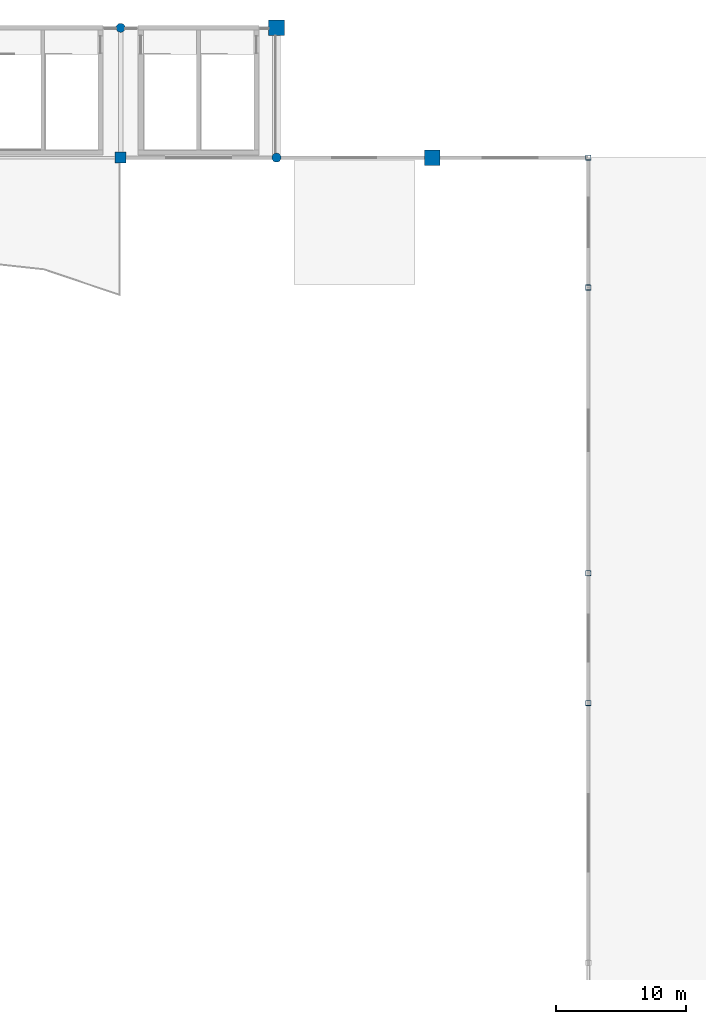
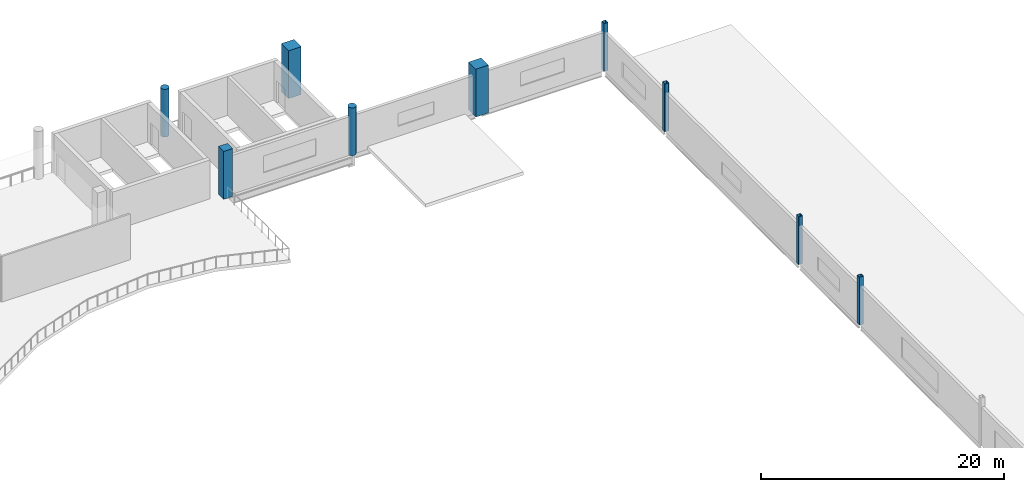
# One storey, part 6 of 49: 9 columns.
"""IFC4 building model written with IfcOpenShell, lengths in metres."""

import ifcopenshell
import ifcopenshell.guid

model = None  # the IFC model being written
_history = None  # IfcOwnerHistory: only IFC2X3 demands one
_inside = {}  # id of a spatial element -> (the spatial element, [elements in it])
_under = {}  # id of a project, library or spatial element -> (it, [spatial elements below it])
_declared = {}  # id of a project -> (the project, [libraries it declares])
_typed = {}  # id of a type object -> (the type object, [elements of that type])
_made_of = {}  # id of a material, layer set ... -> (it, [elements and type objects made of it])


def new_model(schema):
    """Start an empty IFC model of exactly this schema.

    Asked for "IFC4X3", IfcOpenShell would pick the latest addendum, in which some entities
    have other attributes; the version numbers below select the first issue.
    IFC2X3 requires an IfcOwnerHistory on every rooted entity: one is made here for all.
    """
    global model, _history
    if schema == "IFC4X3":
        model = ifcopenshell.file(schema_version=(4, 3, 0, 0))
    else:
        model = ifcopenshell.file(schema=schema)
    _inside.clear()
    _under.clear()
    _declared.clear()
    _typed.clear()
    _made_of.clear()
    _history = None
    if model.schema == "IFC2X3":
        org = make("IfcOrganization", Name="unknown")
        user = make(
            "IfcPersonAndOrganization",
            ThePerson=make("IfcPerson", FamilyName="unknown"),
            TheOrganization=org,
        )
        app = make(
            "IfcApplication",
            ApplicationDeveloper=org,
            Version="unknown",
            ApplicationFullName="unknown",
            ApplicationIdentifier="unknown",
        )
        _history = make(
            "IfcOwnerHistory",
            OwningUser=user,
            OwningApplication=app,
            ChangeAction="ADDED",
            CreationDate=0,
        )
    return model


def make(cls, **values):
    """One entity of the class cls with the attributes given. An attribute that is None is left unset."""
    return model.create_entity(
        cls, **{name: value for name, value in values.items() if value is not None}
    )


def rooted(cls, **values):
    """An entity with a GlobalId (a new one), such as an element, a storey or a relation."""
    return make(cls, GlobalId=ifcopenshell.guid.new(), OwnerHistory=_history, **values)


def si_unit(unit_type, name, prefix=None):
    """IfcSIUnit, for example si_unit("LENGTHUNIT", "METRE", prefix="MILLI")."""
    return make("IfcSIUnit", UnitType=unit_type, Prefix=prefix, Name=name)


def assignment(units):
    """IfcUnitAssignment: the units of a project."""
    return None if units is None else make("IfcUnitAssignment", Units=units)


def point(xyz):
    """IfcCartesianPoint."""
    return None if xyz is None else make("IfcCartesianPoint", Coordinates=xyz)


def direction(xyz):
    """IfcDirection."""
    return None if xyz is None else make("IfcDirection", DirectionRatios=xyz)


def frame(location, z_axis=None, x_axis=None):
    """IfcAxis2Placement3D, a coordinate frame: its origin and axes. An axis left out is left unset."""
    return make(
        "IfcAxis2Placement3D",
        Location=point(location),
        Axis=direction(z_axis),
        RefDirection=direction(x_axis),
    )


def frame_2d(location, x_axis=None):
    """IfcAxis2Placement2D, a coordinate frame in the plane: its origin and x axis."""
    return make(
        "IfcAxis2Placement2D", Location=point(location), RefDirection=direction(x_axis)
    )


def origin():
    """The frame at (0, 0, 0) with its axes left unset."""
    return frame((0.0, 0.0, 0.0))


def origin_2d():
    """The frame at (0, 0) in the plane with its x axis left unset."""
    return frame_2d((0.0, 0.0))


def place(relative_to, where):
    """IfcLocalPlacement: puts the frame where relative to a parent placement (None: the world)."""
    return make(
        "IfcLocalPlacement", PlacementRelTo=relative_to, RelativePlacement=where
    )


def context(
    kind, dimensions, precision=None, world=None, true_north=None, identifier=None
):
    """IfcGeometricRepresentationContext, for example the 3D "Model" context."""
    return make(
        "IfcGeometricRepresentationContext",
        ContextIdentifier=identifier,
        ContextType=kind,
        CoordinateSpaceDimension=dimensions,
        Precision=precision,
        WorldCoordinateSystem=world,
        TrueNorth=true_north,
    )


def subcontext(parent, identifier, kind, view, scale=None):
    """IfcGeometricRepresentationSubContext, for example "Body" below "Model"."""
    return make(
        "IfcGeometricRepresentationSubContext",
        ContextIdentifier=identifier,
        ContextType=kind,
        ParentContext=parent,
        TargetScale=scale,
        TargetView=view,
    )


def project(units=None, contexts=None):
    """IfcProject with its units and contexts."""
    return rooted(
        "IfcProject",
        Name="project",
        RepresentationContexts=contexts,
        UnitsInContext=assignment(units),
    )


def spatial(cls, under=None, at=None, **own):
    """A site, building, storey or space (cls), placed at a placement, below another one or the project."""
    s = rooted(cls, ObjectPlacement=at, **own)
    if under is not None:
        _under.setdefault(under.id(), (under, []))[1].append(s)
    return s


def profile(cls, at=None, kind="AREA", **sizes):
    """A parametric profile (cls). Its sizes go by their IFC names, for example OverallWidth=200.0."""
    return make(cls, ProfileType=kind, Position=at, **sizes)


def rectangle(**sizes):
    """IfcRectangleProfileDef."""
    return profile("IfcRectangleProfileDef", **sizes)


def hollow_rectangle(**sizes):
    """IfcRectangleHollowProfileDef."""
    return profile("IfcRectangleHollowProfileDef", **sizes)


def circle(**sizes):
    """IfcCircleProfileDef."""
    return profile("IfcCircleProfileDef", **sizes)


def extrude(swept, where, along, depth):
    """IfcExtrudedAreaSolid: the profile swept, set in the frame where, extruded along a direction by depth."""
    return make(
        "IfcExtrudedAreaSolid",
        SweptArea=swept,
        Position=where,
        ExtrudedDirection=direction(along),
        Depth=depth,
    )


def shape(context_of_items, identifier, shape_type, items):
    """IfcShapeRepresentation: the items that make up one representation, for example the "Body"."""
    return make(
        "IfcShapeRepresentation",
        ContextOfItems=context_of_items,
        RepresentationIdentifier=identifier,
        RepresentationType=shape_type,
        Items=items,
    )


def material(Name=None, Category=None):
    """IfcMaterial."""
    return make("IfcMaterial", Name=Name, Category=Category)


def material_profile(
    of_material, cross_section, Name=None, Category=None, Priority=None
):
    """IfcMaterialProfile: a cross section and its material."""
    return make(
        "IfcMaterialProfile",
        Name=Name,
        Material=of_material,
        Profile=cross_section,
        Priority=Priority,
        Category=Category,
    )


def profile_set(profiles, Name=None, composite=None):
    """IfcMaterialProfileSet."""
    return make(
        "IfcMaterialProfileSet",
        Name=Name,
        MaterialProfiles=profiles,
        CompositeProfile=composite,
    )


def made_of(thing, what):
    """Note that an element or type object is made of a material, layer set ...; save() writes the relation."""
    if what is not None:
        _made_of.setdefault(what.id(), (what, []))[1].append(thing)
    return thing


def type_object(cls, material=None, **own):
    """A type object (cls), such as IfcWallType, which elements share."""
    return made_of(rooted(cls, **own), material)


def element(
    cls,
    number,
    at=None,
    inside=None,
    cuts=None,
    type_object=None,
    material=None,
    context=None,
    identifier="Body",
    shape_type=None,
    held_by="IfcProductDefinitionShape",
    body=None,
    shapes=None,
    **own,
):
    """One element of the class cls, such as IfcWall. Its Tag is "e" and its number.

    at: its placement. inside: the storey or other place that contains it. cuts: it is an
    opening in that element (IfcRelVoidsElement). A single representation is given by context,
    identifier, shape_type and body (its items); several are given by shapes. held_by: the class
    of the entity that holds the representations. save() writes the other relations.
    """
    e = rooted(cls, Tag="e%d" % number, ObjectPlacement=at, **own)
    if body is not None:
        shapes = [shape(context, identifier, shape_type, body)]
    if shapes is not None:
        e.Representation = make(held_by, Representations=shapes)
    if inside is not None:
        _inside.setdefault(inside.id(), (inside, []))[1].append(e)
    if cuts is not None:
        rooted(
            "IfcRelVoidsElement", RelatingBuildingElement=cuts, RelatedOpeningElement=e
        )
    if type_object is not None:
        _typed.setdefault(type_object.id(), (type_object, []))[1].append(e)
    return made_of(e, material)


def aggregate(whole, parts):
    """IfcRelAggregates: a whole, such as a stair, and the parts it consists of."""
    return rooted("IfcRelAggregates", RelatingObject=whole, RelatedObjects=parts)


def save(model, path):
    """Write the relations noted so far, then the file.

    IfcRelAggregates (storeys below a building ...), IfcRelContainedInSpatialStructure (elements
    in a storey), IfcRelDefinesByType, IfcRelAssociatesMaterial and IfcRelDeclares: one each for
    every whole, place, type object, material and project.
    """
    for whole, parts in _under.values():
        aggregate(whole, parts)
    for where, things in _inside.values():
        rooted(
            "IfcRelContainedInSpatialStructure",
            RelatedElements=things,
            RelatingStructure=where,
        )
    for kind, things in _typed.values():
        rooted("IfcRelDefinesByType", RelatedObjects=things, RelatingType=kind)
    for what, things in _made_of.values():
        rooted("IfcRelAssociatesMaterial", RelatedObjects=things, RelatingMaterial=what)
    for by, libraries in _declared.values():
        rooted("IfcRelDeclares", RelatingContext=by, RelatedDefinitions=libraries)
    model.write(path)


model = new_model("IFC4")

# Units and contexts
model_context = context("Model", 3, precision=1e-05, world=origin(), true_north=direction((0.0, 1.0)))
body_context = subcontext(model_context, "Body", "Model", "MODEL_VIEW")
ifc_project = project(units=[si_unit("LENGTHUNIT", "METRE"), si_unit("AREAUNIT", "SQUARE_METRE"), si_unit("VOLUMEUNIT", "CUBIC_METRE"), si_unit("PLANEANGLEUNIT", "RADIAN"), si_unit("MASSUNIT", "GRAM", prefix="KILO")], contexts=[model_context])

# Site, building, storey
site_placement = place(None, origin())
site = spatial("IfcSite", under=ifc_project, at=site_placement, CompositionType="ELEMENT")
building_placement = place(site_placement, origin())
building = spatial("IfcBuilding", under=site, at=building_placement, Name="Brinegate Civic Arena", CompositionType="ELEMENT")
storey_placement = place(building_placement, frame((0.0, 0.0, 24.60009765625)))
storey = spatial("IfcBuildingStorey", under=building, at=storey_placement, Name="L05", CompositionType="ELEMENT", Elevation=24.60009765625)

# Columns
ifc_material_1 = material(Name="Concrete C50/60", Category="concrete")
ifc_material_profile_1 = material_profile(ifc_material_1, rectangle(XDim=1.199951171875, YDim=1.199951171875, at=origin_2d()), Name="RC1200X1200")
ifc_profile_set_1 = profile_set([ifc_material_profile_1], Name="Concrete C50/60")
column_type_1 = type_object("IfcColumnType", Name="COL-CC01-1200", PredefinedType="COLUMN", material=ifc_profile_set_1)
for number, where, z_axis, x_axis, name in (
    (1, (132.0, 124.0, 0.0), (0.0, 0.0, 1.0), (1.0, 0.0, 0.0), "Column COL-L05-12-N"),
    (2, (144.0, 114.0, 0.0), (0.0, 0.0, 1.0), (1.0, 0.0, 0.0), "Column COL-L05-13-M"),
):
    element("IfcColumn", number, at=place(storey_placement, frame(where, z_axis=z_axis, x_axis=x_axis)), inside=storey, type_object=column_type_1, Name=name, PredefinedType="COLUMN", context=body_context, shape_type="SweptSolid", body=[
        extrude(rectangle(XDim=1.199951171875, YDim=1.199951171875, at=origin_2d()), origin(), (0.0, 0.0, 1.0), 4.7998046875),
    ])
ifc_material_profile_2 = material_profile(ifc_material_1, rectangle(XDim=0.85009765625, YDim=0.85009765625, at=origin_2d()), Name="RC850X850")
ifc_profile_set_2 = profile_set([ifc_material_profile_2], Name="Concrete C50/60")
column_type_2 = type_object("IfcColumnType", Name="COL-CC06-850", PredefinedType="COLUMN", material=ifc_profile_set_2)
column_placement = place(storey_placement, frame((120.0, 114.0, 0.0), z_axis=(0.0, 0.0, 1.0), x_axis=(1.0, 0.0, 0.0)))
element("IfcColumn", 3, at=column_placement, inside=storey, type_object=column_type_2, Name="Column COL-L05-11-M", PredefinedType="COLUMN", context=body_context, shape_type="SweptSolid", body=[
    extrude(rectangle(XDim=0.85009765625, YDim=0.85009765625, at=origin_2d()), origin(), (0.0, 0.0, 1.0), 4.7998046875),
])
ifc_material_profile_3 = material_profile(ifc_material_1, circle(Radius=0.35009765625, at=origin_2d()), Name="RCD700")
ifc_profile_set_3 = profile_set([ifc_material_profile_3], Name="Concrete C50/60")
column_type_3 = type_object("IfcColumnType", Name="COL-CC14-D700", PredefinedType="COLUMN", material=ifc_profile_set_3)
for number, where, z_axis, x_axis, name in (
    (4, (120.0, 124.0, 0.0), (0.0, 0.0, 1.0), (1.0, 0.0, 0.0), "Column COL-L05-11-N"),
    (5, (132.0, 114.0, 0.0), (0.0, 0.0, 1.0), (1.0, 0.0, 0.0), "Column COL-L05-12-M"),
):
    element("IfcColumn", number, at=place(storey_placement, frame(where, z_axis=z_axis, x_axis=x_axis)), inside=storey, type_object=column_type_3, Name=name, PredefinedType="COLUMN", context=body_context, shape_type="SweptSolid", body=[
        extrude(circle(Radius=0.35009765625, at=origin_2d()), origin(), (0.0, 0.0, 1.0), 4.7998046875),
    ])
ifc_material_2 = material(Name="Steel S355", Category="steel")
ifc_material_profile_4 = material_profile(ifc_material_2, hollow_rectangle(XDim=0.39990234375, YDim=0.39990234375, WallThickness=0.02001953125, InnerFilletRadius=0.02001953125, OuterFilletRadius=0.0400390625, at=origin_2d()), Name="SHS400X20")
ifc_profile_set_4 = profile_set([ifc_material_profile_4], Name="Steel S355")
column_type_4 = type_object("IfcColumnType", Name="COL-SC03-SHS400", PredefinedType="COLUMN", material=ifc_profile_set_4)
for number, where, z_axis, x_axis, name in (
    (6, (156.0, 72.0, 0.0), (0.0, 0.0, 1.0), (1.0, 0.0, 0.0), "Space Frame East Drum Column E-05-L05"),
    (7, (156.0, 82.0, 0.0), (0.0, 0.0, 1.0), (1.0, 0.0, 0.0), "Space Frame East Drum Column E-06-L05"),
    (8, (156.0, 104.0, 0.0), (0.0, 0.0, 1.0), (1.0, 0.0, 0.0), "Space Frame East Drum Column E-07-L05"),
    (9, (156.0, 114.0, 0.0), (0.0, 0.0, 1.0), (1.0, 0.0, 0.0), "Space Frame East Drum Column E-08-L05"),
):
    element("IfcColumn", number, at=place(storey_placement, frame(where, z_axis=z_axis, x_axis=x_axis)), inside=storey, type_object=column_type_4, Name=name, PredefinedType="COLUMN", context=body_context, shape_type="SweptSolid", body=[
        extrude(hollow_rectangle(XDim=0.39990234375, YDim=0.39990234375, WallThickness=0.02001953125, InnerFilletRadius=0.02001953125, OuterFilletRadius=0.0400390625, at=origin_2d()), origin(), (0.0, 0.0, 1.0), 4.7998046875),
    ])

save(model, "model.ifc")
